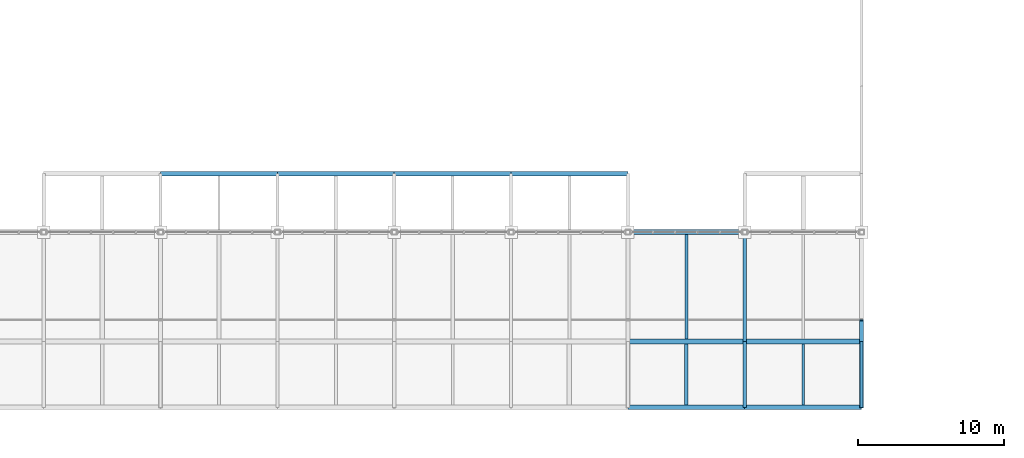
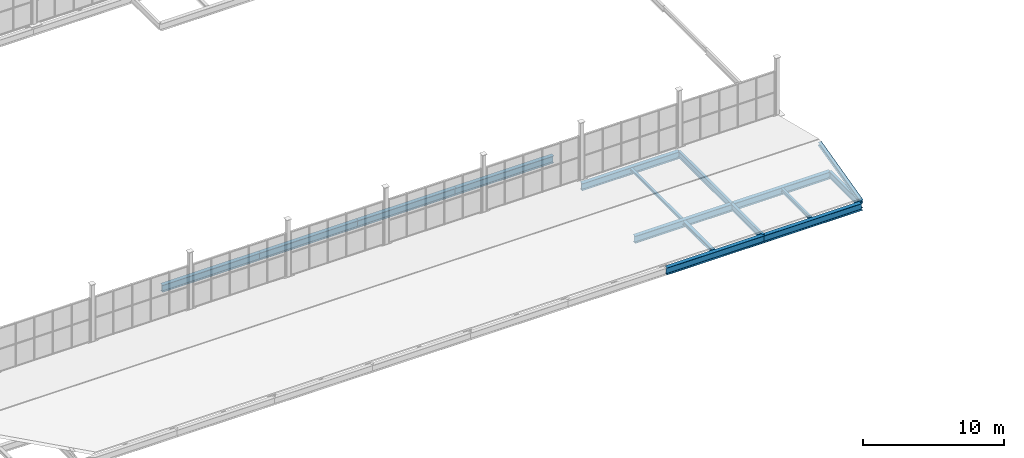
# One storey, part 43 of 96: 15 beams, 1 member.
"""IFC4 building model written with IfcOpenShell, lengths in metres."""

import ifcopenshell
import ifcopenshell.guid

model = None  # the IFC model being written
_history = None  # IfcOwnerHistory: only IFC2X3 demands one
_inside = {}  # id of a spatial element -> (the spatial element, [elements in it])
_under = {}  # id of a project, library or spatial element -> (it, [spatial elements below it])
_declared = {}  # id of a project -> (the project, [libraries it declares])
_typed = {}  # id of a type object -> (the type object, [elements of that type])
_made_of = {}  # id of a material, layer set ... -> (it, [elements and type objects made of it])


def new_model(schema):
    """Start an empty IFC model of exactly this schema.

    Asked for "IFC4X3", IfcOpenShell would pick the latest addendum, in which some entities
    have other attributes; the version numbers below select the first issue.
    IFC2X3 requires an IfcOwnerHistory on every rooted entity: one is made here for all.
    """
    global model, _history
    if schema == "IFC4X3":
        model = ifcopenshell.file(schema_version=(4, 3, 0, 0))
    else:
        model = ifcopenshell.file(schema=schema)
    _inside.clear()
    _under.clear()
    _declared.clear()
    _typed.clear()
    _made_of.clear()
    _history = None
    if model.schema == "IFC2X3":
        org = make("IfcOrganization", Name="unknown")
        user = make(
            "IfcPersonAndOrganization",
            ThePerson=make("IfcPerson", FamilyName="unknown"),
            TheOrganization=org,
        )
        app = make(
            "IfcApplication",
            ApplicationDeveloper=org,
            Version="unknown",
            ApplicationFullName="unknown",
            ApplicationIdentifier="unknown",
        )
        _history = make(
            "IfcOwnerHistory",
            OwningUser=user,
            OwningApplication=app,
            ChangeAction="ADDED",
            CreationDate=0,
        )
    return model


def make(cls, **values):
    """One entity of the class cls with the attributes given. An attribute that is None is left unset."""
    return model.create_entity(
        cls, **{name: value for name, value in values.items() if value is not None}
    )


def rooted(cls, **values):
    """An entity with a GlobalId (a new one), such as an element, a storey or a relation."""
    return make(cls, GlobalId=ifcopenshell.guid.new(), OwnerHistory=_history, **values)


def si_unit(unit_type, name, prefix=None):
    """IfcSIUnit, for example si_unit("LENGTHUNIT", "METRE", prefix="MILLI")."""
    return make("IfcSIUnit", UnitType=unit_type, Prefix=prefix, Name=name)


def assignment(units):
    """IfcUnitAssignment: the units of a project."""
    return None if units is None else make("IfcUnitAssignment", Units=units)


def point(xyz):
    """IfcCartesianPoint."""
    return None if xyz is None else make("IfcCartesianPoint", Coordinates=xyz)


def direction(xyz):
    """IfcDirection."""
    return None if xyz is None else make("IfcDirection", DirectionRatios=xyz)


def frame(location, z_axis=None, x_axis=None):
    """IfcAxis2Placement3D, a coordinate frame: its origin and axes. An axis left out is left unset."""
    return make(
        "IfcAxis2Placement3D",
        Location=point(location),
        Axis=direction(z_axis),
        RefDirection=direction(x_axis),
    )


def frame_2d(location, x_axis=None):
    """IfcAxis2Placement2D, a coordinate frame in the plane: its origin and x axis."""
    return make(
        "IfcAxis2Placement2D", Location=point(location), RefDirection=direction(x_axis)
    )


def origin():
    """The frame at (0, 0, 0) with its axes left unset."""
    return frame((0.0, 0.0, 0.0))


def origin_2d():
    """The frame at (0, 0) in the plane with its x axis left unset."""
    return frame_2d((0.0, 0.0))


def place(relative_to, where):
    """IfcLocalPlacement: puts the frame where relative to a parent placement (None: the world)."""
    return make(
        "IfcLocalPlacement", PlacementRelTo=relative_to, RelativePlacement=where
    )


def context(
    kind, dimensions, precision=None, world=None, true_north=None, identifier=None
):
    """IfcGeometricRepresentationContext, for example the 3D "Model" context."""
    return make(
        "IfcGeometricRepresentationContext",
        ContextIdentifier=identifier,
        ContextType=kind,
        CoordinateSpaceDimension=dimensions,
        Precision=precision,
        WorldCoordinateSystem=world,
        TrueNorth=true_north,
    )


def subcontext(parent, identifier, kind, view, scale=None):
    """IfcGeometricRepresentationSubContext, for example "Body" below "Model"."""
    return make(
        "IfcGeometricRepresentationSubContext",
        ContextIdentifier=identifier,
        ContextType=kind,
        ParentContext=parent,
        TargetScale=scale,
        TargetView=view,
    )


def project(units=None, contexts=None):
    """IfcProject with its units and contexts."""
    return rooted(
        "IfcProject",
        Name="project",
        RepresentationContexts=contexts,
        UnitsInContext=assignment(units),
    )


def spatial(cls, under=None, at=None, **own):
    """A site, building, storey or space (cls), placed at a placement, below another one or the project."""
    s = rooted(cls, ObjectPlacement=at, **own)
    if under is not None:
        _under.setdefault(under.id(), (under, []))[1].append(s)
    return s


def profile(cls, at=None, kind="AREA", **sizes):
    """A parametric profile (cls). Its sizes go by their IFC names, for example OverallWidth=200.0."""
    return make(cls, ProfileType=kind, Position=at, **sizes)


def i_section(**sizes):
    """IfcIShapeProfileDef."""
    return profile("IfcIShapeProfileDef", **sizes)


def extrude(swept, where, along, depth):
    """IfcExtrudedAreaSolid: the profile swept, set in the frame where, extruded along a direction by depth."""
    return make(
        "IfcExtrudedAreaSolid",
        SweptArea=swept,
        Position=where,
        ExtrudedDirection=direction(along),
        Depth=depth,
    )


def shape(context_of_items, identifier, shape_type, items):
    """IfcShapeRepresentation: the items that make up one representation, for example the "Body"."""
    return make(
        "IfcShapeRepresentation",
        ContextOfItems=context_of_items,
        RepresentationIdentifier=identifier,
        RepresentationType=shape_type,
        Items=items,
    )


def material(Name=None, Category=None):
    """IfcMaterial."""
    return make("IfcMaterial", Name=Name, Category=Category)


def material_profile(
    of_material, cross_section, Name=None, Category=None, Priority=None
):
    """IfcMaterialProfile: a cross section and its material."""
    return make(
        "IfcMaterialProfile",
        Name=Name,
        Material=of_material,
        Profile=cross_section,
        Priority=Priority,
        Category=Category,
    )


def profile_set(profiles, Name=None, composite=None):
    """IfcMaterialProfileSet."""
    return make(
        "IfcMaterialProfileSet",
        Name=Name,
        MaterialProfiles=profiles,
        CompositeProfile=composite,
    )


def made_of(thing, what):
    """Note that an element or type object is made of a material, layer set ...; save() writes the relation."""
    if what is not None:
        _made_of.setdefault(what.id(), (what, []))[1].append(thing)
    return thing


def type_object(cls, material=None, **own):
    """A type object (cls), such as IfcWallType, which elements share."""
    return made_of(rooted(cls, **own), material)


def element(
    cls,
    number,
    at=None,
    inside=None,
    cuts=None,
    type_object=None,
    material=None,
    context=None,
    identifier="Body",
    shape_type=None,
    held_by="IfcProductDefinitionShape",
    body=None,
    shapes=None,
    **own,
):
    """One element of the class cls, such as IfcWall. Its Tag is "e" and its number.

    at: its placement. inside: the storey or other place that contains it. cuts: it is an
    opening in that element (IfcRelVoidsElement). A single representation is given by context,
    identifier, shape_type and body (its items); several are given by shapes. held_by: the class
    of the entity that holds the representations. save() writes the other relations.
    """
    e = rooted(cls, Tag="e%d" % number, ObjectPlacement=at, **own)
    if body is not None:
        shapes = [shape(context, identifier, shape_type, body)]
    if shapes is not None:
        e.Representation = make(held_by, Representations=shapes)
    if inside is not None:
        _inside.setdefault(inside.id(), (inside, []))[1].append(e)
    if cuts is not None:
        rooted(
            "IfcRelVoidsElement", RelatingBuildingElement=cuts, RelatedOpeningElement=e
        )
    if type_object is not None:
        _typed.setdefault(type_object.id(), (type_object, []))[1].append(e)
    return made_of(e, material)


def aggregate(whole, parts):
    """IfcRelAggregates: a whole, such as a stair, and the parts it consists of."""
    return rooted("IfcRelAggregates", RelatingObject=whole, RelatedObjects=parts)


def save(model, path):
    """Write the relations noted so far, then the file.

    IfcRelAggregates (storeys below a building ...), IfcRelContainedInSpatialStructure (elements
    in a storey), IfcRelDefinesByType, IfcRelAssociatesMaterial and IfcRelDeclares: one each for
    every whole, place, type object, material and project.
    """
    for whole, parts in _under.values():
        aggregate(whole, parts)
    for where, things in _inside.values():
        rooted(
            "IfcRelContainedInSpatialStructure",
            RelatedElements=things,
            RelatingStructure=where,
        )
    for kind, things in _typed.values():
        rooted("IfcRelDefinesByType", RelatedObjects=things, RelatingType=kind)
    for what, things in _made_of.values():
        rooted("IfcRelAssociatesMaterial", RelatedObjects=things, RelatingMaterial=what)
    for by, libraries in _declared.values():
        rooted("IfcRelDeclares", RelatingContext=by, RelatedDefinitions=libraries)
    model.write(path)


model = new_model("IFC4")

# Units and contexts
model_context = context("Model", 3, precision=1e-05, world=origin(), true_north=direction((0.0, 1.0)))
body_context = subcontext(model_context, "Body", "Model", "MODEL_VIEW")
ifc_project = project(units=[si_unit("LENGTHUNIT", "METRE"), si_unit("AREAUNIT", "SQUARE_METRE"), si_unit("VOLUMEUNIT", "CUBIC_METRE"), si_unit("PLANEANGLEUNIT", "RADIAN"), si_unit("MASSUNIT", "GRAM", prefix="KILO")], contexts=[model_context])

# Site, building, storey
site_placement = place(None, origin())
site = spatial("IfcSite", under=ifc_project, at=site_placement, CompositionType="ELEMENT")
building_placement = place(site_placement, origin())
building = spatial("IfcBuilding", under=site, at=building_placement, Name="Verrall Gate Interchange", CompositionType="ELEMENT")
storey_placement = place(building_placement, frame((0.0, 0.0, 11.39990234375)))
storey = spatial("IfcBuildingStorey", under=building, at=storey_placement, Name="L03", CompositionType="ELEMENT", Elevation=11.39990234375)

# Beams
ifc_material_1 = material(Name="Structural Steel CSA G40.21 350WT Cat 4", Category="steel")
ifc_material_profile_1 = material_profile(ifc_material_1, i_section(OverallWidth=0.323974609375, OverallDepth=0.611083984375, WebThickness=0.0126953125, FlangeThickness=0.01904296875, FilletRadius=0.014892578125, at=origin_2d()), Name="W610x155")
ifc_profile_set_1 = profile_set([ifc_material_profile_1], Name="Structural Steel CSA G40.21 350WT Cat 4")
beam_type_1 = type_object("IfcBeamType", Name="B-08 Structural Beam W610x155", PredefinedType="BEAM", material=ifc_profile_set_1)
for number, where, z_axis, x_axis, name in (
    (1, (92.0, 0.0, -0.635498046875), (1.0, 0.0, 0.0), (0.0, 1.0, 0.0), "L03 Girder BM-L03-1988 (B-08)"),
    (2, (100.0, 0.0, -0.635498046875), (1.0, 0.0, 0.0), (0.0, 1.0, 0.0), "L03 Girder BM-L03-1989 (B-08)"),
    (3, (92.0, 4.5, -0.635498046875), (1.0, 0.0, 0.0), (0.0, 1.0, 0.0), "L03 Girder BM-L03-2004 (B-08)"),
    (4, (100.0, 4.5, -0.635498046875), (1.0, 0.0, 0.0), (0.0, 1.0, 0.0), "L03 Girder BM-L03-2005 (B-08)"),
    (5, (92.0, 12.0, -0.635498046875), (1.0, 0.0, 0.0), (0.0, 1.0, 0.0), "L03 Girder BM-L03-2019 (B-08)"),
    (6, (60.0, 16.0, -0.635498046875), (1.0, 0.0, 0.0), (0.0, 1.0, 0.0), "L03 Girder BM-L03-2033 (B-08)"),
    (7, (68.0, 16.0, -0.635498046875), (1.0, 0.0, 0.0), (0.0, 1.0, 0.0), "L03 Girder BM-L03-2034 (B-08)"),
    (8, (76.0, 16.0, -0.635498046875), (1.0, 0.0, 0.0), (0.0, 1.0, 0.0), "L03 Girder BM-L03-2035 (B-08)"),
    (9, (84.0, 16.0, -0.635498046875), (1.0, 0.0, 0.0), (0.0, 1.0, 0.0), "L03 Girder BM-L03-2036 (B-08)"),
):
    element("IfcBeam", number, at=place(storey_placement, frame(where, z_axis=z_axis, x_axis=x_axis)), inside=storey, type_object=beam_type_1, Name=name, PredefinedType="BEAM", context=body_context, shape_type="SweptSolid", body=[
        extrude(i_section(OverallWidth=0.323974609375, OverallDepth=0.611083984375, WebThickness=0.0126953125, FlangeThickness=0.01904296875, FilletRadius=0.014892578125, at=origin_2d()), origin(), (0.0, 0.0, 1.0), 8.0),
    ])
ifc_material_2 = material(Name="Structural Steel CSA G40.21 350W", Category="steel")
ifc_material_profile_2 = material_profile(ifc_material_2, i_section(OverallWidth=0.2109375, OverallDepth=0.5390625, WebThickness=0.01171875, FlangeThickness=0.018798828125, FilletRadius=0.013916015625, at=origin_2d()), Name="W530x109")
ifc_profile_set_2 = profile_set([ifc_material_profile_2], Name="Structural Steel CSA G40.21 350W")
beam_type_2 = type_object("IfcBeamType", Name="B-10 Structural Beam W530x109", PredefinedType="BEAM", material=ifc_profile_set_2)
beam_1_placement = place(storey_placement, frame((100.0, 0.0, -0.599365234375), z_axis=(0.0, 1.0, 0.0), x_axis=(-1.0, 0.0, 0.0)))
element("IfcBeam", 10, at=beam_1_placement, inside=storey, type_object=beam_type_2, Name="L03 Girder BM-L03-2306 (B-10)", PredefinedType="BEAM", context=body_context, shape_type="SweptSolid", body=[
    extrude(i_section(OverallWidth=0.2109375, OverallDepth=0.5390625, WebThickness=0.01171875, FlangeThickness=0.018798828125, FilletRadius=0.013916015625, at=origin_2d()), origin(), (0.0, 0.0, 1.0), 4.5),
])
beam_2_placement = place(storey_placement, frame((100.0, 4.5, -0.599365234375), z_axis=(0.0, 1.0, 0.0), x_axis=(-1.0, 0.0, 0.0)))
element("IfcBeam", 11, at=beam_2_placement, inside=storey, type_object=beam_type_2, Name="L03 Girder BM-L03-2307 (B-10)", PredefinedType="BEAM", context=body_context, shape_type="SweptSolid", body=[
    extrude(i_section(OverallWidth=0.2109375, OverallDepth=0.5390625, WebThickness=0.01171875, FlangeThickness=0.018798828125, FilletRadius=0.013916015625, at=origin_2d()), origin(), (0.0, 0.0, 1.0), 7.5),
])
beam_3_placement = place(storey_placement, frame((108.0, 0.0, -0.599365234375), z_axis=(0.0, 1.0, 0.0), x_axis=(-1.0, 0.0, 0.0)))
element("IfcBeam", 12, at=beam_3_placement, inside=storey, type_object=beam_type_2, Name="L03 Girder BM-L03-2311 (B-10)", PredefinedType="BEAM", context=body_context, shape_type="SweptSolid", body=[
    extrude(i_section(OverallWidth=0.2109375, OverallDepth=0.5390625, WebThickness=0.01171875, FlangeThickness=0.018798828125, FilletRadius=0.013916015625, at=origin_2d()), origin(), (0.0, 0.0, 1.0), 4.5),
])
ifc_material_3 = material(Name="Structural Steel CSA G40.21 350W", Category="steel")
ifc_material_profile_3 = material_profile(ifc_material_3, i_section(OverallWidth=0.25390625, OverallDepth=0.305908203125, WebThickness=0.0087890625, FlangeThickness=0.0146484375, FilletRadius=0.012939453125, at=origin_2d()), Name="W310x79")
ifc_profile_set_3 = profile_set([ifc_material_profile_3], Name="Structural Steel CSA G40.21 350W")
beam_type_3 = type_object("IfcBeamType", Name="J-03 Floor Joist W310x79", PredefinedType="JOIST", material=ifc_profile_set_3)
beam_4_placement = place(storey_placement, frame((96.0, 0.162109375, -0.48291015625), z_axis=(0.0, 1.0, 0.0), x_axis=(-1.0, 0.0, 0.0)))
element("IfcBeam", 13, at=beam_4_placement, inside=storey, type_object=beam_type_3, Name="L03 Secondary Floor Joist JST-L03-2391", PredefinedType="JOIST", context=body_context, shape_type="SweptSolid", body=[
    extrude(i_section(OverallWidth=0.25390625, OverallDepth=0.305908203125, WebThickness=0.0087890625, FlangeThickness=0.0146484375, FilletRadius=0.012939453125, at=origin_2d()), origin(), (0.0, 0.0, 1.0), 4.17578125),
])
ifc_material_4 = material(Name="Structural Steel CSA G40.21 350W", Category="steel")
ifc_material_profile_4 = material_profile(ifc_material_4, i_section(OverallWidth=0.1650390625, OverallDepth=0.31005859375, WebThickness=0.005859375, FlangeThickness=0.009765625, FilletRadius=0.010009765625, at=origin_2d()), Name="W310x39")
ifc_profile_set_4 = profile_set([ifc_material_profile_4], Name="Structural Steel CSA G40.21 350W")
beam_type_4 = type_object("IfcBeamType", Name="J-04 Floor Joist W310x39", PredefinedType="JOIST", material=ifc_profile_set_4)
beam_5_placement = place(storey_placement, frame((104.0, 0.162109375, -0.48486328125), z_axis=(0.0, 1.0, 0.0), x_axis=(-1.0, 0.0, 0.0)))
element("IfcBeam", 14, at=beam_5_placement, inside=storey, type_object=beam_type_4, Name="L03 Secondary Floor Joist JST-L03-2392", PredefinedType="JOIST", context=body_context, shape_type="SweptSolid", body=[
    extrude(i_section(OverallWidth=0.1650390625, OverallDepth=0.31005859375, WebThickness=0.005859375, FlangeThickness=0.009765625, FilletRadius=0.010009765625, at=origin_2d()), origin(), (0.0, 0.0, 1.0), 4.17578125),
])
ifc_material_5 = material(Name="Structural Steel CSA G40.21 350W", Category="steel")
ifc_material_profile_5 = material_profile(ifc_material_5, i_section(OverallWidth=0.202880859375, OverallDepth=0.202880859375, WebThickness=0.007080078125, FlangeThickness=0.010986328125, FilletRadius=0.010009765625, at=origin_2d()), Name="W200x46")
ifc_profile_set_5 = profile_set([ifc_material_profile_5], Name="Structural Steel CSA G40.21 350W")
beam_type_5 = type_object("IfcBeamType", Name="J-07 Floor Joist W200x46", PredefinedType="JOIST", material=ifc_profile_set_5)
beam_6_placement = place(storey_placement, frame((96.0, 4.662109375, -0.431396484375), z_axis=(0.0, 1.0, 0.0), x_axis=(-1.0, 0.0, 0.0)))
element("IfcBeam", 15, at=beam_6_placement, inside=storey, type_object=beam_type_5, Name="L03 Secondary Floor Joist JST-L03-2405", PredefinedType="JOIST", context=body_context, shape_type="SweptSolid", body=[
    extrude(i_section(OverallWidth=0.202880859375, OverallDepth=0.202880859375, WebThickness=0.007080078125, FlangeThickness=0.010986328125, FilletRadius=0.010009765625, at=origin_2d()), origin(), (0.0, 0.0, 1.0), 7.17578125),
])

# Member
ifc_material_6 = material(Name="Structural Steel CSA G40.21 350WT Cat 4", Category="steel")
ifc_material_profile_6 = material_profile(ifc_material_6, i_section(OverallWidth=0.25390625, OverallDepth=0.305908203125, WebThickness=0.0087890625, FlangeThickness=0.0146484375, FilletRadius=0.012939453125, at=origin_2d()), Name="W310x79")
ifc_profile_set_6 = profile_set([ifc_material_profile_6], Name="Structural Steel CSA G40.21 350WT Cat 4")
member_type = type_object("IfcMemberType", Name="RF-03 Folded Roof Rafter W310x79", PredefinedType="RAFTER", material=ifc_profile_set_6)
member_placement = place(storey_placement, frame((108.0, 0.0, -0.31982421875), z_axis=(0.0, 0.970524816174, 0.241001205786), x_axis=(-1.0, 0.0, 0.0)))
element("IfcMember", 16, at=member_placement, inside=storey, type_object=member_type, Name="Portico Roof Rafter S 108", PredefinedType="RAFTER", context=body_context, shape_type="SweptSolid", body=[
    extrude(i_section(OverallWidth=0.25390625, OverallDepth=0.305908203125, WebThickness=0.0087890625, FlangeThickness=0.0146484375, FilletRadius=0.012939453125, at=origin_2d()), origin(), (0.0, 0.0, 1.0), 6.140869140625),
])

save(model, "model.ifc")
